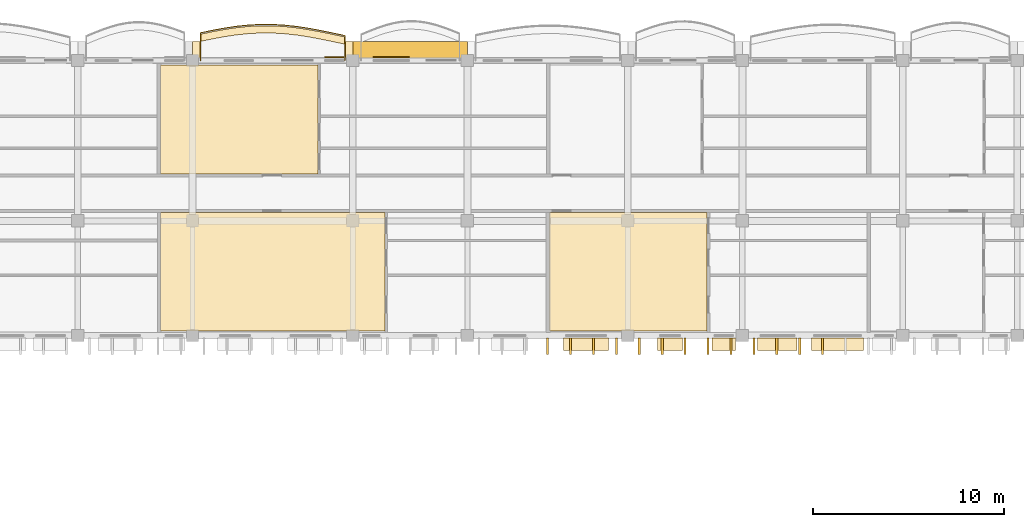
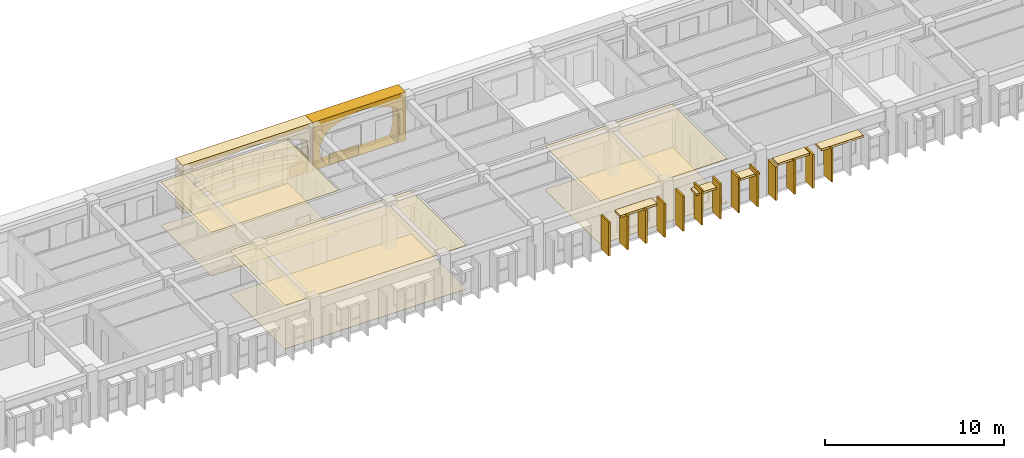
# One storey, part 54 of 66: 29 coverings, 1 railing.
"""IFC4 building model written with IfcOpenShell, lengths in metres."""

from ifc_helpers import new_model, si_unit, direction, frame, origin, origin_2d, place, context, subcontext, project, spatial, polyline, rectangle, outline, extrude, material, layer, layer_set, type_object, element, save


model = new_model("IFC4")

# Units and contexts
model_context = context("Model", 3, precision=1e-05, world=origin(), true_north=direction((0.0, 1.0)))
body_context = subcontext(model_context, "Body", "Model", "MODEL_VIEW")
ifc_project = project(units=[si_unit("LENGTHUNIT", "METRE"), si_unit("AREAUNIT", "SQUARE_METRE"), si_unit("VOLUMEUNIT", "CUBIC_METRE"), si_unit("PLANEANGLEUNIT", "RADIAN"), si_unit("MASSUNIT", "GRAM", prefix="KILO"), si_unit("THERMODYNAMICTEMPERATUREUNIT", "KELVIN")], contexts=[model_context])

# Site, building, storey
site_placement = place(None, origin())
site = spatial("IfcSite", under=ifc_project, at=site_placement, CompositionType="ELEMENT")
building_placement = place(site_placement, origin())
building = spatial("IfcBuilding", under=site, at=building_placement, Name="Thalorik Housing Commons", CompositionType="ELEMENT")
storey_placement = place(building_placement, frame((0.0, 0.0, 21.300048828125)))
storey = spatial("IfcBuildingStorey", under=building, at=storey_placement, Name="L06", CompositionType="ELEMENT", Elevation=21.300048828125)

# Coverings
ifc_material_1 = material(Name="Cobalt blue glazed ceramic facade tile panel", Category="masonry")
ifc_layer_1 = layer(ifc_material_1, 0.06005859375, Name="Cobalt blue glazed ceramic facade tile panel", Category="masonry")
ifc_layer_set_1 = layer_set([ifc_layer_1], Name="Cobalt blue glazed ceramic facade tile panel")
covering_type_1 = type_object("IfcCoveringType", Name="ARC-CLD-BLU-60", PredefinedType="CLADDING", material=ifc_layer_set_1)
covering_1_placement = place(storey_placement, frame((111.2099609375, 123.7724609375, 0.0498046875), z_axis=(0.0, 0.0, 1.0), x_axis=(-1.0, 0.0, 0.0)))
element("IfcCovering", 1, at=covering_1_placement, inside=storey, type_object=covering_type_1, Name="L06 De Stijl Recessed Window Spandrel 2379", PredefinedType="CLADDING", context=body_context, shape_type="SweptSolid", body=[
    extrude(rectangle(XDim=1.89990234375, YDim=0.06005859375, at=origin_2d()), origin(), (0.0, 0.0, 1.0), 0.699951171875),
])
ifc_material_2 = material(Name="Precast concrete C40/50", Category="concrete")
ifc_layer_2 = layer(ifc_material_2, 0.85009765625, Name="Precast concrete C40/50", Category="concrete")
ifc_layer_set_2 = layer_set([ifc_layer_2], Name="Precast concrete C40/50")
covering_type_2 = type_object("IfcCoveringType", Name="ARC-CLD-CUSH-850", PredefinedType="CLADDING", material=ifc_layer_set_2)
covering_2_placement = place(storey_placement, frame((112.199951171875, 124.16259765625, 0.0), z_axis=(0.0, 0.0, 1.0), x_axis=(-1.0, 0.0, 0.0)))
element("IfcCovering", 2, at=covering_2_placement, inside=storey, type_object=covering_type_2, Name="L06 White Precast Curved Cushion Bay Frame 2378", PredefinedType="CLADDING", context=body_context, shape_type="SweptSolid", body=[
    extrude(outline(polyline([(-3.0, 0.0), (3.0, 0.0), (3.0, 3.300048828125), (-3.0, 3.300048828125), (-3.0, 0.0)]), holes=[polyline([(2.0400390625, 0.02490234375), (2.3232421875, 0.415771484375), (2.493408203125, 0.806640625), (2.550048828125, 1.197509765625), (2.493408203125, 1.58837890625), (2.3232421875, 1.979248046875), (2.0400390625, 2.3701171875), (1.66748046875, 2.573974609375), (1.294921875, 2.734130859375), (0.922607421875, 2.864013671875), (0.550048828125, 2.960205078125), (0.177490234375, 3.02001953125), (-0.195068359375, 3.0400390625), (-0.5673828125, 3.02001953125), (-0.93994140625, 2.960205078125), (-1.3125, 2.864013671875), (-1.68505859375, 2.734130859375), (-2.0576171875, 2.573974609375), (-2.429931640625, 2.3701171875), (-2.55029296875, 1.979248046875), (-2.62255859375, 1.58837890625), (-2.646484375, 1.197509765625), (-2.62255859375, 0.806640625), (-2.55029296875, 0.415771484375), (-2.429931640625, 0.02490234375), (2.0400390625, 0.02490234375)])]), frame((0.0, 0.425048828125, 0.0), z_axis=(0.0, -1.0, 0.0), x_axis=(1.0, 0.0, 0.0)), (0.0, 0.0, 1.0), 0.85009765625),
])
covering_3_placement = place(storey_placement, frame((105.0, 124.16259765625, 0.0), z_axis=(0.0, 0.0, 1.0), x_axis=(-1.0, 0.0, 0.0)))
element("IfcCovering", 3, at=covering_3_placement, inside=storey, type_object=covering_type_2, Name="L06 White Precast Curved Cushion Bay Frame 2380", PredefinedType="CLADDING", context=body_context, shape_type="SweptSolid", body=[
    extrude(outline(polyline([(-4.199951171875, 0.0), (4.199951171875, 0.0), (4.199951171875, 3.300048828125), (-4.199951171875, 3.300048828125), (-4.199951171875, 0.0)]), holes=[polyline([(3.239990234375, 0.02490234375), (3.523193359375, 0.394287109375), (3.693359375, 0.76318359375), (3.75, 1.132568359375), (3.693359375, 1.501708984375), (3.523193359375, 1.870849609375), (3.239990234375, 2.239990234375), (2.65576171875, 2.4833984375), (2.071533203125, 2.6748046875), (1.4873046875, 2.82958984375), (0.90283203125, 2.94482421875), (0.318603515625, 3.01611328125), (-0.265625, 3.0400390625), (-0.849853515625, 3.01611328125), (-1.43408203125, 2.94482421875), (-2.018310546875, 2.82958984375), (-2.602783203125, 2.6748046875), (-3.18701171875, 2.4833984375), (-3.771240234375, 2.239990234375), (-3.86181640625, 1.870849609375), (-3.916015625, 1.501708984375), (-3.93408203125, 1.132568359375), (-3.916015625, 0.76318359375), (-3.86181640625, 0.394287109375), (-3.771240234375, 0.02490234375), (3.239990234375, 0.02490234375)])]), frame((0.0, 0.425048828125, 0.0), z_axis=(0.0, -1.0, 0.0), x_axis=(1.0, 0.0, 0.0)), (0.0, 0.0, 1.0), 0.85009765625),
])
ifc_layer_3 = layer(ifc_material_2, 0.85009765625, Name="Precast concrete C40/50", Category="concrete")
ifc_layer_set_3 = layer_set([ifc_layer_3], Name="Precast concrete C40/50")
covering_type_3 = type_object("IfcCoveringType", Name="ARC-CLD-FIN-850", PredefinedType="CLADDING", material=ifc_layer_set_3)
for number, where, z_axis, x_axis, name in (
    (4, (119.39990234375, 108.637451171875, 0.0400390625), (0.0, 0.0, 1.0), (1.0, 0.0, 0.0), "L06 Courtyard Precast Vertical Brise-Soleil Fin 2448"),
    (5, (120.60009765625, 108.637451171875, 0.0400390625), (0.0, 0.0, 1.0), (1.0, 0.0, 0.0), "L06 Courtyard Precast Vertical Brise-Soleil Fin 2449"),
    (6, (121.800048828125, 108.637451171875, 0.0400390625), (0.0, 0.0, 1.0), (1.0, 0.0, 0.0), "L06 Courtyard Precast Vertical Brise-Soleil Fin 2450"),
    (7, (123.0, 108.637451171875, 0.0400390625), (0.0, 0.0, 1.0), (1.0, 0.0, 0.0), "L06 Courtyard Precast Vertical Brise-Soleil Fin 2451"),
):
    element("IfcCovering", number, at=place(storey_placement, frame(where, z_axis=z_axis, x_axis=x_axis)), inside=storey, type_object=covering_type_3, Name=name, PredefinedType="CLADDING", context=body_context, shape_type="SweptSolid", body=[
        extrude(rectangle(XDim=0.110107421875, YDim=0.85009765625, at=origin_2d()), origin(), (0.0, 0.0, 1.0), 2.294921875),
    ])
for number, where, z_axis, x_axis, name in (
    (8, (124.199951171875, 108.637451171875, 0.0400390625), (0.0, 0.0, 1.0), (1.0, 0.0, 0.0), "L06 Courtyard Precast Vertical Brise-Soleil Fin 2454"),
    (9, (125.39990234375, 108.637451171875, 0.0400390625), (0.0, 0.0, 1.0), (1.0, 0.0, 0.0), "L06 Courtyard Precast Vertical Brise-Soleil Fin 2455"),
    (10, (126.60009765625, 108.637451171875, 0.0400390625), (0.0, 0.0, 1.0), (1.0, 0.0, 0.0), "L06 Courtyard Precast Vertical Brise-Soleil Fin 2456"),
    (11, (127.800048828125, 108.637451171875, 0.0400390625), (0.0, 0.0, 1.0), (1.0, 0.0, 0.0), "L06 Courtyard Precast Vertical Brise-Soleil Fin 2457"),
    (12, (129.0, 108.637451171875, 0.0400390625), (0.0, 0.0, 1.0), (1.0, 0.0, 0.0), "L06 Courtyard Precast Vertical Brise-Soleil Fin 2458"),
):
    element("IfcCovering", number, at=place(storey_placement, frame(where, z_axis=z_axis, x_axis=x_axis)), inside=storey, type_object=covering_type_3, Name=name, PredefinedType="CLADDING", context=body_context, shape_type="SweptSolid", body=[
        extrude(rectangle(XDim=0.110107421875, YDim=0.85009765625, at=origin_2d()), origin(), (0.0, 0.0, 1.0), 2.39501953125),
    ])
for number, where, z_axis, x_axis, name in (
    (13, (130.199951171875, 108.637451171875, 0.0400390625), (0.0, 0.0, 1.0), (1.0, 0.0, 0.0), "L06 Courtyard Precast Vertical Brise-Soleil Fin 2461"),
    (14, (131.39990234375, 108.637451171875, 0.0400390625), (0.0, 0.0, 1.0), (1.0, 0.0, 0.0), "L06 Courtyard Precast Vertical Brise-Soleil Fin 2462"),
    (15, (132.60009765625, 108.637451171875, 0.0400390625), (0.0, 0.0, 1.0), (1.0, 0.0, 0.0), "L06 Courtyard Precast Vertical Brise-Soleil Fin 2463"),
    (16, (133.800048828125, 108.637451171875, 0.0400390625), (0.0, 0.0, 1.0), (1.0, 0.0, 0.0), "L06 Courtyard Precast Vertical Brise-Soleil Fin 2464"),
):
    element("IfcCovering", number, at=place(storey_placement, frame(where, z_axis=z_axis, x_axis=x_axis)), inside=storey, type_object=covering_type_3, Name=name, PredefinedType="CLADDING", context=body_context, shape_type="SweptSolid", body=[
        extrude(rectangle(XDim=0.110107421875, YDim=0.85009765625, at=origin_2d()), origin(), (0.0, 0.0, 1.0), 2.294921875),
    ])
ifc_layer_4 = layer(ifc_material_2, 0.64990234375, Name="Precast concrete C40/50", Category="concrete")
ifc_layer_set_4 = layer_set([ifc_layer_4], Name="Precast concrete C40/50")
covering_type_4 = type_object("IfcCoveringType", Name="ARC-CLD-HOOD-650", PredefinedType="CLADDING", material=ifc_layer_set_4)
covering_4_placement = place(storey_placement, frame((121.419921875, 108.737548828125, 2.22509765625), z_axis=(0.0, 0.0, 1.0), x_axis=(1.0, 0.0, 0.0)))
element("IfcCovering", 17, at=covering_4_placement, inside=storey, type_object=covering_type_4, Name="L06 Courtyard Precast Window Sun-Hood 2453", PredefinedType="CLADDING", context=body_context, shape_type="SweptSolid", body=[
    extrude(rectangle(XDim=2.360107421875, YDim=0.64990234375, at=origin_2d()), origin(), (0.0, 0.0, 1.0), 0.139892578125),
])
covering_5_placement = place(storey_placement, frame((125.8076171875, 108.737548828125, 1.990234375), z_axis=(0.0, 0.0, 1.0), x_axis=(1.0, 0.0, 0.0)))
element("IfcCovering", 18, at=covering_5_placement, inside=storey, type_object=covering_type_4, Name="L06 Courtyard Precast Window Sun-Hood 2459", PredefinedType="CLADDING", context=body_context, shape_type="SweptSolid", body=[
    extrude(rectangle(XDim=1.2900390625, YDim=0.64990234375, at=origin_2d()), origin(), (0.0, 0.0, 1.0), 0.139892578125),
])
covering_6_placement = place(storey_placement, frame((128.617431640625, 108.737548828125, 2.0400390625), z_axis=(0.0, 0.0, 1.0), x_axis=(1.0, 0.0, 0.0)))
element("IfcCovering", 19, at=covering_6_placement, inside=storey, type_object=covering_type_4, Name="L06 Courtyard Precast Window Sun-Hood 2460", PredefinedType="CLADDING", context=body_context, shape_type="SweptSolid", body=[
    extrude(rectangle(XDim=1.239990234375, YDim=0.64990234375, at=origin_2d()), origin(), (0.0, 0.0, 1.0), 0.139892578125),
])
covering_7_placement = place(storey_placement, frame((131.4326171875, 108.737548828125, 2.22509765625), z_axis=(0.0, 0.0, 1.0), x_axis=(1.0, 0.0, 0.0)))
element("IfcCovering", 20, at=covering_7_placement, inside=storey, type_object=covering_type_4, Name="L06 Courtyard Precast Window Sun-Hood 2468", PredefinedType="CLADDING", context=body_context, shape_type="SweptSolid", body=[
    extrude(rectangle(XDim=2.06005859375, YDim=0.64990234375, at=origin_2d()), origin(), (0.0, 0.0, 1.0), 0.139892578125),
])
covering_8_placement = place(storey_placement, frame((134.577392578125, 108.737548828125, 2.22509765625), z_axis=(0.0, 0.0, 1.0), x_axis=(1.0, 0.0, 0.0)))
element("IfcCovering", 21, at=covering_8_placement, inside=storey, type_object=covering_type_4, Name="L06 Courtyard Precast Window Sun-Hood 2469", PredefinedType="CLADDING", context=body_context, shape_type="SweptSolid", body=[
    extrude(rectangle(XDim=2.719970703125, YDim=0.64990234375, at=origin_2d()), origin(), (0.0, 0.0, 1.0), 0.139892578125),
])
ifc_material_3 = material(Name="Mineral ochre architectural terracotta panel", Category="masonry")
ifc_layer_5 = layer(ifc_material_3, 0.06494140625, Name="Mineral ochre architectural terracotta panel", Category="masonry")
ifc_layer_set_5 = layer_set([ifc_layer_5], Name="Mineral ochre architectural terracotta panel")
covering_type_5 = type_object("IfcCoveringType", Name="ARC-CLD-YEL-65", PredefinedType="CLADDING", material=ifc_layer_set_5)
covering_9_placement = place(storey_placement, frame((108.22119140625, 123.77490234375, 0.0498046875), z_axis=(0.0, 0.0, 1.0), x_axis=(-1.0, 0.0, 0.0)))
element("IfcCovering", 22, at=covering_9_placement, inside=storey, type_object=covering_type_5, Name="L06 De Stijl Recessed Window Spandrel 2381", PredefinedType="CLADDING", context=body_context, shape_type="SweptSolid", body=[
    extrude(rectangle(XDim=1.0, YDim=0.06494140625, at=origin_2d()), origin(), (0.0, 0.0, 1.0), 0.699951171875),
])
ifc_material_4 = material(Name="Slatted timber acoustic hall baffle ceiling", Category="wood")
ifc_layer_6 = layer(ifc_material_4, 0.02197265625, Name="Slatted timber acoustic hall baffle ceiling", Category="wood")
ifc_layer_set_6 = layer_set([ifc_layer_6], Name="Slatted timber acoustic hall baffle ceiling")
covering_type_6 = type_object("IfcCoveringType", Name="ARC-COV-CEIL-03", PredefinedType="CEILING", material=ifc_layer_set_6)
covering_10_placement = place(storey_placement, frame((0.0, 0.0, 2.97802734375)))
element("IfcCovering", 23, at=covering_10_placement, inside=storey, type_object=covering_type_6, Name="L06 Living Dining Room Suspended Ceiling", PredefinedType="CEILING", context=body_context, shape_type="SweptSolid", body=[
    extrude(outline(polyline([(110.8701171875, 109.43994140625), (110.8701171875, 115.639892578125), (99.1298828125, 115.639892578125), (99.1298828125, 109.43994140625), (110.8701171875, 109.43994140625)])), origin(), (0.0, 0.0, 1.0), 0.02197265625),
])
ifc_material_5 = material(Name="Moisture-resistant gypsum bathroom ceiling")
ifc_layer_7 = layer(ifc_material_5, 0.02490234375, Name="Moisture-resistant gypsum bathroom ceiling")
ifc_layer_set_7 = layer_set([ifc_layer_7], Name="Moisture-resistant gypsum bathroom ceiling")
covering_type_7 = type_object("IfcCoveringType", Name="ARC-COV-CEIL-04", PredefinedType="CEILING", material=ifc_layer_set_7)
covering_11_placement = place(storey_placement, frame((0.0, 0.0, 2.974853515625)))
element("IfcCovering", 24, at=covering_11_placement, inside=storey, type_object=covering_type_7, Name="L06 Living Dining Room Suspended Ceiling", PredefinedType="CEILING", context=body_context, shape_type="SweptSolid", body=[
    extrude(outline(polyline([(107.3623046875, 117.659912109375), (107.3623046875, 123.360107421875), (99.1298828125, 123.360107421875), (99.1298828125, 117.659912109375), (107.3623046875, 117.659912109375)])), origin(), (0.0, 0.0, 1.0), 0.025146484375),
])
ifc_material_6 = material(Name="Fire-rated calcium silicate corridor ceiling")
ifc_layer_8 = layer(ifc_material_6, 0.030029296875, Name="Fire-rated calcium silicate corridor ceiling")
ifc_layer_set_8 = layer_set([ifc_layer_8], Name="Fire-rated calcium silicate corridor ceiling")
covering_type_8 = type_object("IfcCoveringType", Name="ARC-COV-CEIL-05", PredefinedType="CEILING", material=ifc_layer_set_8)
covering_12_placement = place(storey_placement, frame((0.0, 0.0, 2.969970703125)))
element("IfcCovering", 25, at=covering_12_placement, inside=storey, type_object=covering_type_8, Name="L06 Family Lounge Suspended Ceiling", PredefinedType="CEILING", context=body_context, shape_type="SweptSolid", body=[
    extrude(outline(polyline([(127.7548828125, 109.43994140625), (127.7548828125, 115.639892578125), (119.510009765625, 115.639892578125), (119.510009765625, 109.43994140625), (127.7548828125, 109.43994140625)])), origin(), (0.0, 0.0, 1.0), 0.030029296875),
])
ifc_material_7 = material(Name="Cushioned natural linoleum nursery playroom flooring")
ifc_layer_9 = layer(ifc_material_7, 0.02001953125, Name="Cushioned natural linoleum nursery playroom flooring")
ifc_layer_set_9 = layer_set([ifc_layer_9], Name="Cushioned natural linoleum nursery playroom flooring")
covering_type_9 = type_object("IfcCoveringType", Name="ARC-COV-FLR-03", PredefinedType="FLOORING", material=ifc_layer_set_9)
covering_13_placement = place(storey_placement, origin())
element("IfcCovering", 26, at=covering_13_placement, inside=storey, type_object=covering_type_9, Name="L06 Living Dining Room Flooring", PredefinedType="FLOORING", context=body_context, shape_type="SweptSolid", body=[
    extrude(outline(polyline([(110.8701171875, 109.43994140625), (110.8701171875, 115.639892578125), (99.1298828125, 115.639892578125), (99.1298828125, 109.43994140625), (110.8701171875, 109.43994140625)])), origin(), (0.0, 0.0, 1.0), 0.02001953125),
])
ifc_material_8 = material(Name="Sprung Brazilian oak assembly hall timber floor", Category="wood")
ifc_layer_10 = layer(ifc_material_8, 0.02392578125, Name="Sprung Brazilian oak assembly hall timber floor", Category="wood")
ifc_layer_set_10 = layer_set([ifc_layer_10], Name="Sprung Brazilian oak assembly hall timber floor")
covering_type_10 = type_object("IfcCoveringType", Name="ARC-COV-FLR-04", PredefinedType="FLOORING", material=ifc_layer_set_10)
covering_14_placement = place(storey_placement, origin())
element("IfcCovering", 27, at=covering_14_placement, inside=storey, type_object=covering_type_10, Name="L06 Living Dining Room Flooring", PredefinedType="FLOORING", context=body_context, shape_type="SweptSolid", body=[
    extrude(outline(polyline([(107.3623046875, 117.659912109375), (107.3623046875, 123.360107421875), (99.1298828125, 123.360107421875), (99.1298828125, 117.659912109375), (107.3623046875, 117.659912109375)])), origin(), (0.0, 0.0, 1.0), 0.02392578125),
])
ifc_material_9 = material(Name="Heavy-duty porcelain metro vestibule tile")
ifc_layer_11 = layer(ifc_material_9, 0.028076171875, Name="Heavy-duty porcelain metro vestibule tile")
ifc_layer_set_11 = layer_set([ifc_layer_11], Name="Heavy-duty porcelain metro vestibule tile")
covering_type_11 = type_object("IfcCoveringType", Name="ARC-COV-FLR-05", PredefinedType="FLOORING", material=ifc_layer_set_11)
covering_15_placement = place(storey_placement, origin())
element("IfcCovering", 28, at=covering_15_placement, inside=storey, type_object=covering_type_11, Name="L06 Family Lounge Flooring", PredefinedType="FLOORING", context=body_context, shape_type="SweptSolid", body=[
    extrude(outline(polyline([(127.7548828125, 109.43994140625), (127.7548828125, 115.639892578125), (119.510009765625, 115.639892578125), (119.510009765625, 109.43994140625), (127.7548828125, 109.43994140625)])), origin(), (0.0, 0.0, 1.0), 0.02783203125),
])
ifc_material_10 = material(Name="Planted vegetated substrate and terracotta trough", Category="masonry")
ifc_layer_12 = layer(ifc_material_10, 0.340087890625, Name="Planted vegetated substrate and terracotta trough", Category="masonry")
ifc_layer_set_12 = layer_set([ifc_layer_12], Name="Planted vegetated substrate and terracotta trough")
covering_type_12 = type_object("IfcCoveringType", Name="ARC-COV-PLANTER", PredefinedType="USERDEFINED", material=ifc_layer_set_12)
covering_16_placement = place(storey_placement, origin())
element("IfcCovering", 29, at=covering_16_placement, inside=storey, type_object=covering_type_12, Name="L06 Balcony Slab-Edge Planted Trough 5488", ObjectType="PLANTER", PredefinedType="USERDEFINED", context=body_context, shape_type="SweptSolid", body=[
    extrude(outline(polyline([(108.780029296875, 124.834228515625), (108.14990234375, 124.968017578125), (107.52001953125, 125.09765625), (106.889892578125, 125.214599609375), (106.260009765625, 125.310791015625), (105.6298828125, 125.379638671875), (105.0, 125.41650390625), (104.3701171875, 125.4189453125), (103.739990234375, 125.386474609375), (103.110107421875, 125.32080078125), (102.47998046875, 125.226806640625), (101.85009765625, 125.110107421875), (101.219970703125, 124.978515625), (101.219970703125, 124.5986328125), (101.85009765625, 124.72998046875), (102.47998046875, 124.8466796875), (103.110107421875, 124.94091796875), (103.739990234375, 125.00634765625), (104.3701171875, 125.038818359375), (105.0, 125.03662109375), (105.6298828125, 124.99951171875), (106.260009765625, 124.9306640625), (106.889892578125, 124.83447265625), (107.52001953125, 124.717529296875), (108.14990234375, 124.587890625), (108.780029296875, 124.4541015625), (108.780029296875, 124.834228515625)])), origin(), (0.0, 0.0, 1.0), 0.33984375),
])

# Railing
ifc_material_11 = material(Name="Steel S355", Category="steel")
railing_type = type_object("IfcRailingType", Name="ARC-RL-BAL-112", PredefinedType="BALUSTRADE", material=ifc_material_11)
railing_placement = place(storey_placement, frame((108.780029296875, 123.60009765625, 0.0)))
element("IfcRailing", 30, at=railing_placement, inside=storey, type_object=railing_type, Name="L06 Cushion Balcony Guardrail 172", PredefinedType="BALUSTRADE", context=body_context, shape_type="SweptSolid", body=[
    extrude(rectangle(XDim=0.050048828125, YDim=0.050048828125, at=origin_2d()), frame((0.0, 0.0, 1.09521484375), z_axis=(0.0, 1.0, 0.0), x_axis=(-1.0, 0.0, 0.0)), (0.0, 0.0, 1.0), 1.30419921875),
    extrude(rectangle(XDim=0.050048828125, YDim=0.050048828125, at=origin_2d()), frame((0.0, 0.0, 0.53515625), z_axis=(0.0, 1.0, 0.0), x_axis=(-1.0, 0.0, 0.0)), (0.0, 0.0, 1.0), 1.30419921875),
    extrude(rectangle(XDim=0.050048828125, YDim=0.050048828125, at=origin_2d()), frame((0.0, 1.30419921875, 1.09521484375), z_axis=(-0.978271412584, 0.207328346642, 0.0), x_axis=(-0.207328346642, -0.978271412584, 0.0)), (0.0, 0.0, 1.0), 0.64404296875),
    extrude(rectangle(XDim=0.050048828125, YDim=0.050048828125, at=origin_2d()), frame((0.0, 1.30419921875, 0.53515625), z_axis=(-0.978271412584, 0.207328346642, 0.0), x_axis=(-0.207328346642, -0.978271412584, 0.0)), (0.0, 0.0, 1.0), 0.64404296875),
    extrude(rectangle(XDim=0.050048828125, YDim=0.050048828125, at=origin_2d()), frame((-0.630126953125, 1.437744140625, 1.09521484375), z_axis=(-0.979470273401, 0.201588649293, 0.0), x_axis=(-0.201588649293, -0.979470273401, 0.0)), (0.0, 0.0, 1.0), 0.64306640625),
    extrude(rectangle(XDim=0.050048828125, YDim=0.050048828125, at=origin_2d()), frame((-0.630126953125, 1.437744140625, 0.53515625), z_axis=(-0.979470273401, 0.201588649293, 0.0), x_axis=(-0.201588649293, -0.979470273401, 0.0)), (0.0, 0.0, 1.0), 0.64306640625),
    extrude(rectangle(XDim=0.050048828125, YDim=0.050048828125, at=origin_2d()), frame((-1.260009765625, 1.5673828125, 1.09521484375), z_axis=(-0.983211198872, 0.182471198861, 0.0), x_axis=(-0.182471198861, -0.983211198872, 0.0)), (0.0, 0.0, 1.0), 0.640869140625),
    extrude(rectangle(XDim=0.050048828125, YDim=0.050048828125, at=origin_2d()), frame((-1.260009765625, 1.5673828125, 0.53515625), z_axis=(-0.983211198872, 0.182471198861, 0.0), x_axis=(-0.182471198861, -0.983211198872, 0.0)), (0.0, 0.0, 1.0), 0.640869140625),
    extrude(rectangle(XDim=0.050048828125, YDim=0.050048828125, at=origin_2d()), frame((-1.89013671875, 1.684326171875, 1.09521484375), z_axis=(-0.988539414432, 0.150962995847, 0.0), x_axis=(-0.150962995847, -0.988539414432, 0.0)), (0.0, 0.0, 1.0), 0.63720703125),
    extrude(rectangle(XDim=0.050048828125, YDim=0.050048828125, at=origin_2d()), frame((-1.89013671875, 1.684326171875, 0.53515625), z_axis=(-0.988539414432, 0.150962995847, 0.0), x_axis=(-0.150962995847, -0.988539414432, 0.0)), (0.0, 0.0, 1.0), 0.63720703125),
    extrude(rectangle(XDim=0.050048828125, YDim=0.050048828125, at=origin_2d()), frame((-2.52001953125, 1.780517578125, 1.09521484375), z_axis=(-0.994042387071, 0.108994186572, 0.0), x_axis=(-0.108994186572, -0.994042387071, 0.0)), (0.0, 0.0, 1.0), 0.6337890625),
    extrude(rectangle(XDim=0.050048828125, YDim=0.050048828125, at=origin_2d()), frame((-2.52001953125, 1.780517578125, 0.53515625), z_axis=(-0.994042387071, 0.108994186572, 0.0), x_axis=(-0.108994186572, -0.994042387071, 0.0)), (0.0, 0.0, 1.0), 0.6337890625),
    extrude(rectangle(XDim=0.050048828125, YDim=0.050048828125, at=origin_2d()), frame((-3.150146484375, 1.849609375, 1.09521484375), z_axis=(-0.998291674977, 0.058427148419, 0.0), x_axis=(-0.058427148419, -0.998291674977, 0.0)), (0.0, 0.0, 1.0), 0.630859375),
    extrude(rectangle(XDim=0.050048828125, YDim=0.050048828125, at=origin_2d()), frame((-3.150146484375, 1.849609375, 0.53515625), z_axis=(-0.998291674977, 0.058427148419, 0.0), x_axis=(-0.058427148419, -0.998291674977, 0.0)), (0.0, 0.0, 1.0), 0.630859375),
    extrude(rectangle(XDim=0.050048828125, YDim=0.050048828125, at=origin_2d()), frame((-3.780029296875, 1.886474609375, 1.09521484375), z_axis=(-0.999992488517, 0.003875939878, 0.0), x_axis=(-0.003875939878, -0.999992488517, 0.0)), (0.0, 0.0, 1.0), 0.6298828125),
    extrude(rectangle(XDim=0.050048828125, YDim=0.050048828125, at=origin_2d()), frame((-3.780029296875, 1.886474609375, 0.53515625), z_axis=(-0.999992488517, 0.003875939878, 0.0), x_axis=(-0.003875939878, -0.999992488517, 0.0)), (0.0, 0.0, 1.0), 0.6298828125),
    extrude(rectangle(XDim=0.050048828125, YDim=0.050048828125, at=origin_2d()), frame((-4.409912109375, 1.888916015625, 1.09521484375), z_axis=(-0.998654986307, -0.05184803106, 0.0), x_axis=(0.05184803106, -0.998654986307, 0.0)), (0.0, 0.0, 1.0), 0.630859375),
    extrude(rectangle(XDim=0.050048828125, YDim=0.050048828125, at=origin_2d()), frame((-4.409912109375, 1.888916015625, 0.53515625), z_axis=(-0.998654986307, -0.05184803106, 0.0), x_axis=(0.05184803106, -0.998654986307, 0.0)), (0.0, 0.0, 1.0), 0.630859375),
    extrude(rectangle(XDim=0.050048828125, YDim=0.050048828125, at=origin_2d()), frame((-5.0400390625, 1.856201171875, 1.09521484375), z_axis=(-0.994648163406, -0.10332004178, 0.0), x_axis=(0.10332004178, -0.994648163406, 0.0)), (0.0, 0.0, 1.0), 0.63330078125),
    extrude(rectangle(XDim=0.050048828125, YDim=0.050048828125, at=origin_2d()), frame((-5.0400390625, 1.856201171875, 0.53515625), z_axis=(-0.994648163406, -0.10332004178, 0.0), x_axis=(0.10332004178, -0.994648163406, 0.0)), (0.0, 0.0, 1.0), 0.63330078125),
    extrude(rectangle(XDim=0.050048828125, YDim=0.050048828125, at=origin_2d()), frame((-5.669921875, 1.790771484375, 1.09521484375), z_axis=(-0.989000903893, -0.147909472647, 0.0), x_axis=(0.147909472647, -0.989000903893, 0.0)), (0.0, 0.0, 1.0), 0.63720703125),
    extrude(rectangle(XDim=0.050048828125, YDim=0.050048828125, at=origin_2d()), frame((-5.669921875, 1.790771484375, 0.53515625), z_axis=(-0.989000903893, -0.147909472647, 0.0), x_axis=(0.147909472647, -0.989000903893, 0.0)), (0.0, 0.0, 1.0), 0.63720703125),
    extrude(rectangle(XDim=0.050048828125, YDim=0.050048828125, at=origin_2d()), frame((-6.300048828125, 1.696533203125, 1.09521484375), z_axis=(-0.983266838, -0.182171142854, 0.0), x_axis=(0.182171142854, -0.983266838, 0.0)), (0.0, 0.0, 1.0), 0.640625),
    extrude(rectangle(XDim=0.050048828125, YDim=0.050048828125, at=origin_2d()), frame((-6.300048828125, 1.696533203125, 0.53515625), z_axis=(-0.983266838, -0.182171142854, 0.0), x_axis=(0.182171142854, -0.983266838, 0.0)), (0.0, 0.0, 1.0), 0.640625),
    extrude(rectangle(XDim=0.050048828125, YDim=0.050048828125, at=origin_2d()), frame((-6.929931640625, 1.579833984375, 1.09521484375), z_axis=(-0.978958325316, -0.204060278582, 0.0), x_axis=(0.204060278582, -0.978958325316, 0.0)), (0.0, 0.0, 1.0), 0.6435546875),
    extrude(rectangle(XDim=0.050048828125, YDim=0.050048828125, at=origin_2d()), frame((-6.929931640625, 1.579833984375, 0.53515625), z_axis=(-0.978958325316, -0.204060278582, 0.0), x_axis=(0.204060278582, -0.978958325316, 0.0)), (0.0, 0.0, 1.0), 0.6435546875),
    extrude(rectangle(XDim=0.050048828125, YDim=0.050048828125, at=origin_2d()), frame((-7.56005859375, 1.448486328125, 1.09521484375), z_axis=(0.0, -1.0, 0.0), x_axis=(1.0, 0.0, 0.0)), (0.0, 0.0, 1.0), 1.448486328125),
    extrude(rectangle(XDim=0.050048828125, YDim=0.050048828125, at=origin_2d()), frame((-7.56005859375, 1.448486328125, 0.53515625), z_axis=(0.0, -1.0, 0.0), x_axis=(1.0, 0.0, 0.0)), (0.0, 0.0, 1.0), 1.448486328125),
    extrude(rectangle(XDim=0.0419921875, YDim=0.0419921875, at=origin_2d()), origin(), (0.0, 0.0, 1.0), 1.070068359375),
    extrude(rectangle(XDim=0.0419921875, YDim=0.0419921875, at=origin_2d()), frame((0.0, 1.30419921875, 0.0)), (0.0, 0.0, 1.0), 1.070068359375),
    extrude(rectangle(XDim=0.0419921875, YDim=0.0419921875, at=origin_2d()), frame((-0.630126953125, 1.437744140625, 0.0)), (0.0, 0.0, 1.0), 1.070068359375),
    extrude(rectangle(XDim=0.0419921875, YDim=0.0419921875, at=origin_2d()), frame((-1.260009765625, 1.5673828125, 0.0)), (0.0, 0.0, 1.0), 1.070068359375),
    extrude(rectangle(XDim=0.0419921875, YDim=0.0419921875, at=origin_2d()), frame((-1.89013671875, 1.684326171875, 0.0)), (0.0, 0.0, 1.0), 1.070068359375),
    extrude(rectangle(XDim=0.0419921875, YDim=0.0419921875, at=origin_2d()), frame((-2.52001953125, 1.780517578125, 0.0)), (0.0, 0.0, 1.0), 1.070068359375),
    extrude(rectangle(XDim=0.0419921875, YDim=0.0419921875, at=origin_2d()), frame((-3.150146484375, 1.849609375, 0.0)), (0.0, 0.0, 1.0), 1.070068359375),
    extrude(rectangle(XDim=0.0419921875, YDim=0.0419921875, at=origin_2d()), frame((-3.780029296875, 1.886474609375, 0.0)), (0.0, 0.0, 1.0), 1.070068359375),
    extrude(rectangle(XDim=0.0419921875, YDim=0.0419921875, at=origin_2d()), frame((-4.409912109375, 1.888916015625, 0.0)), (0.0, 0.0, 1.0), 1.070068359375),
    extrude(rectangle(XDim=0.0419921875, YDim=0.0419921875, at=origin_2d()), frame((-5.0400390625, 1.856201171875, 0.0)), (0.0, 0.0, 1.0), 1.070068359375),
    extrude(rectangle(XDim=0.0419921875, YDim=0.0419921875, at=origin_2d()), frame((-5.669921875, 1.790771484375, 0.0)), (0.0, 0.0, 1.0), 1.070068359375),
    extrude(rectangle(XDim=0.0419921875, YDim=0.0419921875, at=origin_2d()), frame((-6.300048828125, 1.696533203125, 0.0)), (0.0, 0.0, 1.0), 1.070068359375),
    extrude(rectangle(XDim=0.0419921875, YDim=0.0419921875, at=origin_2d()), frame((-6.929931640625, 1.579833984375, 0.0)), (0.0, 0.0, 1.0), 1.070068359375),
    extrude(rectangle(XDim=0.0419921875, YDim=0.0419921875, at=origin_2d()), frame((-7.56005859375, 1.448486328125, 0.0)), (0.0, 0.0, 1.0), 1.070068359375),
    extrude(rectangle(XDim=0.0419921875, YDim=0.0419921875, at=origin_2d()), frame((-7.56005859375, 0.0, 0.0)), (0.0, 0.0, 1.0), 1.070068359375),
])

save(model, "model.ifc")
